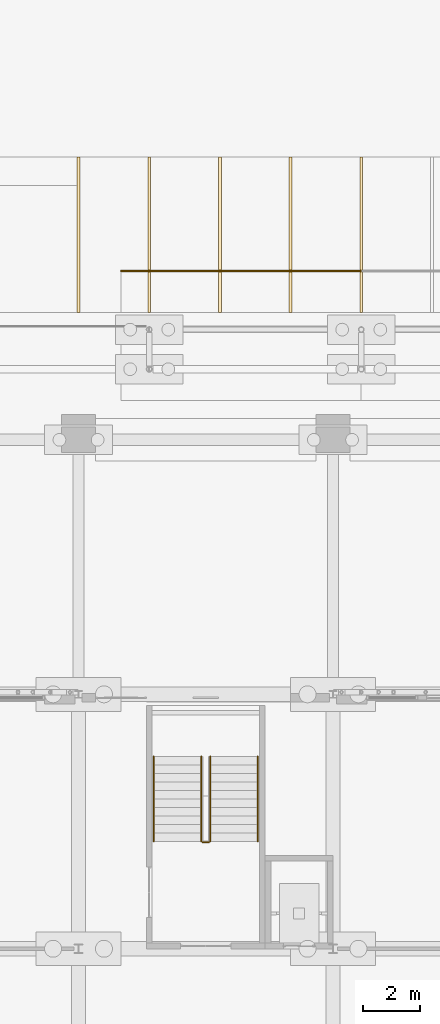
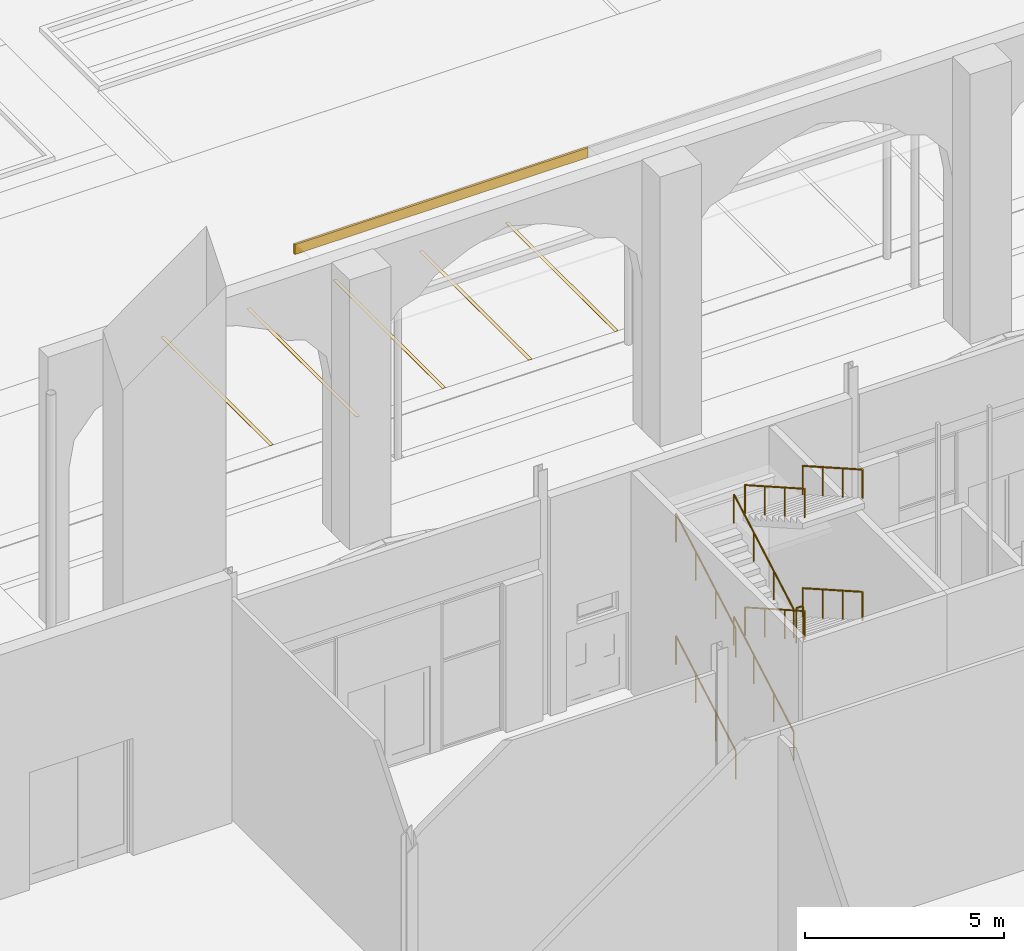
# One storey, part 215 of 250: 9 railings, 6 coverings.
"""IFC4 building model written with IfcOpenShell, lengths in metres."""

from ifc_helpers import new_model, si_unit, direction, frame, origin, origin_2d, place, context, subcontext, project, spatial, polyline, rectangle, circle, outline, extrude, material, layer, layer_set, type_object, element, save


model = new_model("IFC4")

# Units and contexts
model_context = context("Model", 3, precision=1e-05, world=origin(), true_north=direction((0.0, 1.0)))
body_context = subcontext(model_context, "Body", "Model", "MODEL_VIEW")
ifc_project = project(units=[si_unit("LENGTHUNIT", "METRE"), si_unit("AREAUNIT", "SQUARE_METRE"), si_unit("VOLUMEUNIT", "CUBIC_METRE"), si_unit("PLANEANGLEUNIT", "RADIAN"), si_unit("MASSUNIT", "GRAM", prefix="KILO")], contexts=[model_context])

# Site, building, storey
site_placement = place(None, origin())
site = spatial("IfcSite", under=ifc_project, at=site_placement, CompositionType="ELEMENT")
building_placement = place(site_placement, origin())
building = spatial("IfcBuilding", under=site, at=building_placement, Name="Baradari Gate Terminus", CompositionType="ELEMENT")
storey_placement = place(building_placement, origin())
storey = spatial("IfcBuildingStorey", under=building, at=storey_placement, Name="L00", CompositionType="ELEMENT", Elevation=0.0)

# Coverings
ifc_material_1 = material(Name="Road marking paint, white")
ifc_layer_1 = layer(ifc_material_1, 0.0048828125)
ifc_layer_set_1 = layer_set([ifc_layer_1], Name="Road marking paint, white")
covering_type_1 = type_object("IfcCoveringType", Name="Bay line RM-1 5", PredefinedType="USERDEFINED", material=ifc_layer_set_1)
covering_1_placement = place(storey_placement, origin())
element("IfcCovering", 1, at=covering_1_placement, inside=storey, type_object=covering_type_1, Name="Bay line TX 1", ObjectType="ROAD MARKING", PredefinedType="USERDEFINED", context=body_context, shape_type="SweptSolid", body=[
    extrude(outline(polyline([(179.949951171875, 121.5), (180.050048828125, 121.5), (180.050048828125, 127.0), (179.949951171875, 127.0), (179.949951171875, 121.5)])), origin(), (0.0, 0.0, 1.0), 0.0048828125),
])
covering_2_placement = place(storey_placement, origin())
element("IfcCovering", 2, at=covering_2_placement, inside=storey, type_object=covering_type_1, Name="Bay line TX 2", ObjectType="ROAD MARKING", PredefinedType="USERDEFINED", context=body_context, shape_type="SweptSolid", body=[
    extrude(outline(polyline([(182.449951171875, 121.5), (182.550048828125, 121.5), (182.550048828125, 127.0), (182.449951171875, 127.0), (182.449951171875, 121.5)])), origin(), (0.0, 0.0, 1.0), 0.0048828125),
])
covering_3_placement = place(storey_placement, origin())
element("IfcCovering", 3, at=covering_3_placement, inside=storey, type_object=covering_type_1, Name="Bay line TX 3", ObjectType="ROAD MARKING", PredefinedType="USERDEFINED", context=body_context, shape_type="SweptSolid", body=[
    extrude(outline(polyline([(184.949951171875, 121.5), (185.050048828125, 121.5), (185.050048828125, 127.0), (184.949951171875, 127.0), (184.949951171875, 121.5)])), origin(), (0.0, 0.0, 1.0), 0.0048828125),
])
covering_4_placement = place(storey_placement, origin())
element("IfcCovering", 4, at=covering_4_placement, inside=storey, type_object=covering_type_1, Name="Bay line TX 4", ObjectType="ROAD MARKING", PredefinedType="USERDEFINED", context=body_context, shape_type="SweptSolid", body=[
    extrude(outline(polyline([(187.449951171875, 121.5), (187.550048828125, 121.5), (187.550048828125, 127.0), (187.449951171875, 127.0), (187.449951171875, 121.5)])), origin(), (0.0, 0.0, 1.0), 0.0048828125),
])
covering_5_placement = place(storey_placement, origin())
element("IfcCovering", 5, at=covering_5_placement, inside=storey, type_object=covering_type_1, Name="Bay line TX 5", ObjectType="ROAD MARKING", PredefinedType="USERDEFINED", context=body_context, shape_type="SweptSolid", body=[
    extrude(outline(polyline([(189.949951171875, 121.5), (190.050048828125, 121.5), (190.050048828125, 127.0), (189.949951171875, 127.0), (189.949951171875, 121.5)])), origin(), (0.0, 0.0, 1.0), 0.0048828125),
])

# Railings
ifc_material_2 = material(Name="Stainless steel 1.4301", Category="steel")
railing_type_1 = type_object("IfcRailingType", Name="Guard GR-1 1100", PredefinedType="GUARDRAIL", material=ifc_material_2)
railing_placement = place(storey_placement, frame((184.60009765625, 102.77001953125, 3.75)))
element("IfcRailing", 6, at=railing_placement, inside=storey, type_object=railing_type_1, Name="Landing guard ST-H3 L00", PredefinedType="GUARDRAIL", context=body_context, shape_type="SweptSolid", body=[
    extrude(circle(Radius=0.02392578125, at=origin_2d()), frame((0.0, 0.0, 1.076171875), z_axis=(-1.0, 0.0, 0.0), x_axis=(0.0, -1.0, 0.0)), (0.0, 0.0, 1.0), 0.2001953125),
    extrude(circle(Radius=0.02099609375, at=origin_2d()), origin(), (0.0, 0.0, 1.0), 1.052001953125),
    extrude(circle(Radius=0.02099609375, at=origin_2d()), frame((-0.2001953125, 0.0, 0.0)), (0.0, 0.0, 1.0), 1.052001953125),
])
ifc_material_3 = material(Name="Stainless steel 1.4301", Category="steel")
railing_type_2 = type_object("IfcRailingType", Name="Handrail HR-1 900", PredefinedType="HANDRAIL", material=ifc_material_3)
for number, where, name in (
    (7, (182.659912109375, 102.800048828125, 0.17041015625), "Handrail ST-H3 L00 flight 1"),
    (8, (184.340087890625, 102.800048828125, 0.17041015625), "Handrail ST-H3 L00 flight 1"),
):
    element("IfcRailing", number, at=place(storey_placement, frame(where)), inside=storey, type_object=railing_type_2, Name=name, PredefinedType="HANDRAIL", context=body_context, shape_type="SweptSolid", body=[
        extrude(circle(Radius=0.02392578125, at=origin_2d()), frame((0.0, 0.0, 0.8759765625), z_axis=(0.0, 0.869451031676, 0.494019132744), x_axis=(-1.0, 0.0, 0.0)), (0.0, 0.0, 1.0), 3.450439453125),
        extrude(circle(Radius=0.02099609375, at=origin_2d()), origin(), (0.0, 0.0, 1.0), 0.851806640625),
        extrude(circle(Radius=0.02099609375, at=origin_2d()), frame((0.0, 1.0, 0.568115234375)), (0.0, 0.0, 1.0), 0.851806640625),
        extrude(circle(Radius=0.02099609375, at=origin_2d()), frame((0.0, 2.0, 1.136474609375)), (0.0, 0.0, 1.0), 0.851806640625),
        extrude(circle(Radius=0.02099609375, at=origin_2d()), frame((0.0, 3.0, 1.70458984375)), (0.0, 0.0, 1.0), 0.851806640625),
    ])
for number, where, name in (
    (9, (184.659912109375, 105.800048828125, 2.04541015625), "Handrail ST-H3 L00 flight 2"),
    (10, (186.340087890625, 105.800048828125, 2.04541015625), "Handrail ST-H3 L00 flight 2"),
):
    element("IfcRailing", number, at=place(storey_placement, frame(where)), inside=storey, type_object=railing_type_2, Name=name, PredefinedType="HANDRAIL", context=body_context, shape_type="SweptSolid", body=[
        extrude(circle(Radius=0.02392578125, at=origin_2d()), frame((0.0, 0.0, 0.8759765625), z_axis=(0.0, -0.869451031676, 0.494019132744), x_axis=(1.0, 0.0, 0.0)), (0.0, 0.0, 1.0), 3.450439453125),
        extrude(circle(Radius=0.02099609375, at=origin_2d()), origin(), (0.0, 0.0, 1.0), 0.851806640625),
        extrude(circle(Radius=0.02099609375, at=origin_2d()), frame((0.0, -1.0, 0.568115234375)), (0.0, 0.0, 1.0), 0.851806640625),
        extrude(circle(Radius=0.02099609375, at=origin_2d()), frame((0.0, -2.0, 1.136474609375)), (0.0, 0.0, 1.0), 0.851806640625),
        extrude(circle(Radius=0.02099609375, at=origin_2d()), frame((0.0, -3.0, 1.70458984375)), (0.0, 0.0, 1.0), 0.851806640625),
    ])
for number, where, name in (
    (11, (182.659912109375, 102.800048828125, 3.92041015625), "Handrail ST-H3 L00 flight 3"),
    (12, (184.340087890625, 102.800048828125, 3.92041015625), "Handrail ST-H3 L00 flight 3"),
):
    element("IfcRailing", number, at=place(storey_placement, frame(where)), inside=storey, type_object=railing_type_2, Name=name, PredefinedType="HANDRAIL", context=body_context, shape_type="SweptSolid", body=[
        extrude(circle(Radius=0.02392578125, at=origin_2d()), frame((0.0, 0.0, 0.8759765625), z_axis=(0.0, 0.869451031676, 0.494019132744), x_axis=(-1.0, 0.0, 0.0)), (0.0, 0.0, 1.0), 3.450439453125),
        extrude(circle(Radius=0.02099609375, at=origin_2d()), origin(), (0.0, 0.0, 1.0), 0.851806640625),
        extrude(circle(Radius=0.02099609375, at=origin_2d()), frame((0.0, 1.0, 0.568115234375)), (0.0, 0.0, 1.0), 0.851806640625),
        extrude(circle(Radius=0.02099609375, at=origin_2d()), frame((0.0, 2.0, 1.136474609375)), (0.0, 0.0, 1.0), 0.851806640625),
        extrude(circle(Radius=0.02099609375, at=origin_2d()), frame((0.0, 3.0, 1.70458984375)), (0.0, 0.0, 1.0), 0.851806640625),
    ])
for number, where, name in (
    (13, (184.659912109375, 105.800048828125, 5.79541015625), "Handrail ST-H3 L00 flight 4"),
    (14, (186.340087890625, 105.800048828125, 5.79541015625), "Handrail ST-H3 L00 flight 4"),
):
    element("IfcRailing", number, at=place(storey_placement, frame(where)), inside=storey, type_object=railing_type_2, Name=name, PredefinedType="HANDRAIL", context=body_context, shape_type="SweptSolid", body=[
        extrude(circle(Radius=0.02392578125, at=origin_2d()), frame((0.0, 0.0, 0.8759765625), z_axis=(0.0, -0.869451031676, 0.494019132744), x_axis=(1.0, 0.0, 0.0)), (0.0, 0.0, 1.0), 3.450439453125),
        extrude(circle(Radius=0.02099609375, at=origin_2d()), origin(), (0.0, 0.0, 1.0), 0.851806640625),
        extrude(circle(Radius=0.02099609375, at=origin_2d()), frame((0.0, -1.0, 0.568115234375)), (0.0, 0.0, 1.0), 0.851806640625),
        extrude(circle(Radius=0.02099609375, at=origin_2d()), frame((0.0, -2.0, 1.136474609375)), (0.0, 0.0, 1.0), 0.851806640625),
        extrude(circle(Radius=0.02099609375, at=origin_2d()), frame((0.0, -3.0, 1.70458984375)), (0.0, 0.0, 1.0), 0.851806640625),
    ])

# Covering
ifc_material_4 = material(Name="Weathering steel plate", Category="steel")
ifc_layer_2 = layer(ifc_material_4, 0.06005859375)
ifc_layer_set_2 = layer_set([ifc_layer_2], Name="Weathering steel plate")
covering_type_2 = type_object("IfcCoveringType", Name="Shelter fascia plate SH5 60", PredefinedType="CLADDING", material=ifc_layer_set_2)
covering_6_placement = place(storey_placement, frame((185.75, 122.969970703125, 4.4501953125), z_axis=(0.0, 0.0, 1.0), x_axis=(1.0, 0.0, 0.0)))
element("IfcCovering", 15, at=covering_6_placement, inside=storey, type_object=covering_type_2, Name="Taxi shelter fascia 1", PredefinedType="CLADDING", context=body_context, shape_type="SweptSolid", body=[
    extrude(rectangle(XDim=8.5, YDim=0.06005859375, at=origin_2d()), origin(), (0.0, 0.0, 1.0), 0.300048828125),
])

save(model, "model.ifc")
